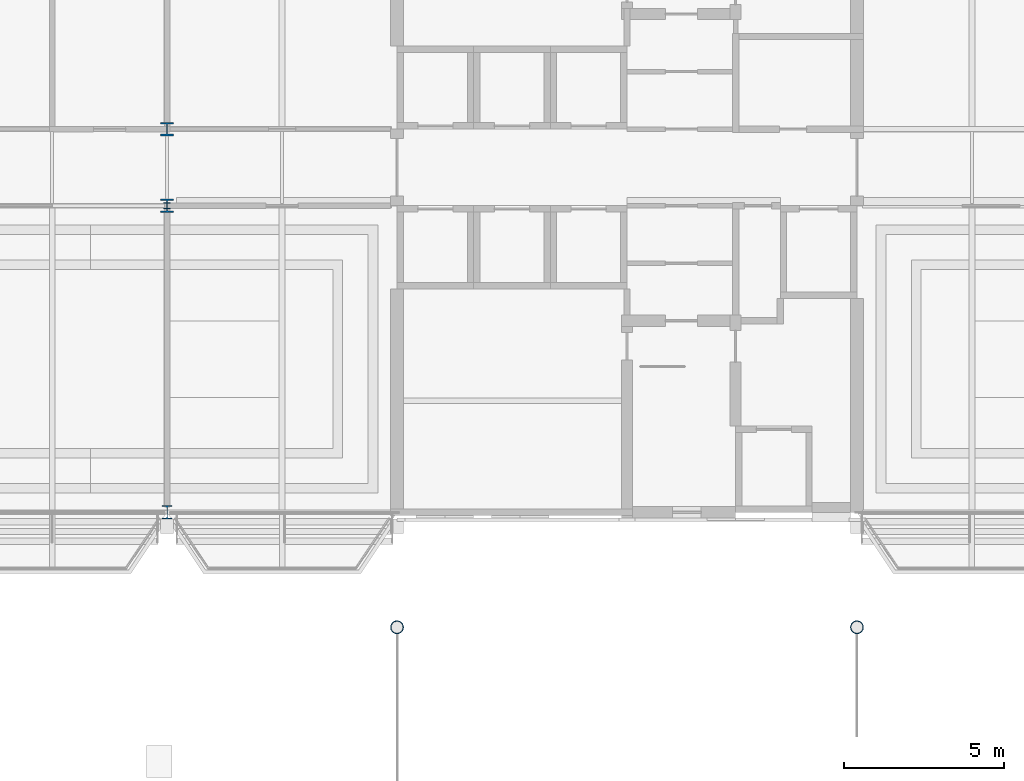
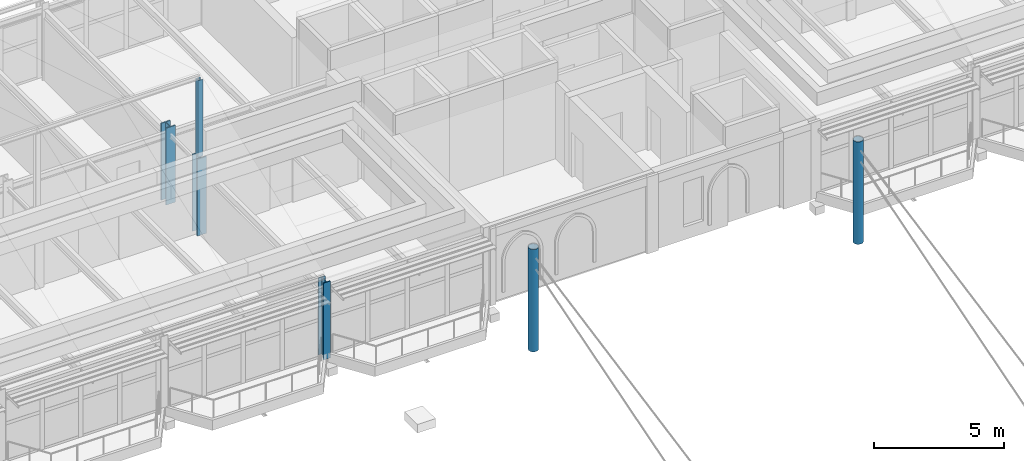
# One storey, part 7 of 68: 6 columns.
"""IFC4 building model written with IfcOpenShell, lengths in metres."""

from ifc_helpers import new_model, si_unit, direction, frame, origin, origin_2d, place, context, subcontext, project, spatial, hollow_circle, i_section, extrude, material, material_profile, profile_set, type_object, element, save


model = new_model("IFC4")

# Units and contexts
model_context = context("Model", 3, precision=1e-05, world=origin(), true_north=direction((0.0, 1.0)))
body_context = subcontext(model_context, "Body", "Model", "MODEL_VIEW")
ifc_project = project(units=[si_unit("LENGTHUNIT", "METRE"), si_unit("AREAUNIT", "SQUARE_METRE"), si_unit("VOLUMEUNIT", "CUBIC_METRE"), si_unit("PLANEANGLEUNIT", "RADIAN"), si_unit("MASSUNIT", "GRAM", prefix="KILO")], contexts=[model_context])

# Site, building, storey
site_placement = place(None, origin())
site = spatial("IfcSite", under=ifc_project, at=site_placement, CompositionType="ELEMENT")
building_placement = place(site_placement, origin())
building = spatial("IfcBuilding", under=site, at=building_placement, Name="Kupolbacken Congress Centre", CompositionType="ELEMENT")
storey_placement = place(building_placement, frame((0.0, 0.0, 25.199951171875)))
storey = spatial("IfcBuildingStorey", under=building, at=storey_placement, Name="L07", CompositionType="ELEMENT", Elevation=25.199951171875)

# Columns
ifc_material_1 = material(Name="Steel S355", Category="steel")
ifc_material_profile_1 = material_profile(ifc_material_1, i_section(OverallWidth=0.408935546875, OverallDepth=0.425048828125, WebThickness=0.03271484375, FlangeThickness=0.052490234375, FilletRadius=0.014892578125, at=origin_2d()), Name="HD 400 x 421")
ifc_profile_set_1 = profile_set([ifc_material_profile_1], Name="Steel S355")
column_type_1 = type_object("IfcColumnType", Name="C01 column HD 400 x 421", PredefinedType="COLUMN", material=ifc_profile_set_1)
for number, where, z_axis, x_axis, name in (
    (1, (86.39990234375, 132.0, 0.0), (0.0, 0.0, 1.0), (1.0, 0.0, 0.0), "S/col/C-T-13U+2400/L07"),
    (2, (86.39990234375, 134.39990234375, 0.0), (0.0, 0.0, 1.0), (1.0, 0.0, 0.0), "S/col/C-T-13U+4800/L07"),
):
    element("IfcColumn", number, at=place(storey_placement, frame(where, z_axis=z_axis, x_axis=x_axis)), inside=storey, type_object=column_type_1, Name=name, PredefinedType="COLUMN", context=body_context, shape_type="SweptSolid", body=[
        extrude(i_section(OverallWidth=0.408935546875, OverallDepth=0.425048828125, WebThickness=0.03271484375, FlangeThickness=0.052490234375, FilletRadius=0.014892578125, at=origin_2d()), origin(), (0.0, 0.0, 1.0), 3.60009765625),
    ])
ifc_material_2 = material(Name="Steel S355", Category="steel")
ifc_material_profile_2 = material_profile(ifc_material_2, i_section(OverallWidth=0.306884765625, OverallDepth=0.431884765625, WebThickness=0.02099609375, FlangeThickness=0.0400390625, FilletRadius=0.027099609375, at=origin_2d()), Name="HEM 400")
ifc_profile_set_2 = profile_set([ifc_material_profile_2], Name="Steel S355")
column_type_2 = type_object("IfcColumnType", Name="C02 column HEM 400", PredefinedType="COLUMN", material=ifc_profile_set_2)
column_1_placement = place(storey_placement, frame((86.39990234375, 122.39990234375, 0.0), z_axis=(0.0, 0.0, 1.0), x_axis=(1.0, 0.0, 0.0)))
element("IfcColumn", 3, at=column_1_placement, inside=storey, type_object=column_type_2, Name="S/col/C-T-13T/L07", PredefinedType="COLUMN", context=body_context, shape_type="SweptSolid", body=[
    extrude(i_section(OverallWidth=0.306884765625, OverallDepth=0.431884765625, WebThickness=0.02099609375, FlangeThickness=0.0400390625, FilletRadius=0.027099609375, at=origin_2d()), origin(), (0.0, 0.0, 1.0), 3.60009765625),
])
ifc_material_3 = material(Name="Steel S355", Category="steel")
ifc_material_profile_3 = material_profile(ifc_material_3, i_section(OverallWidth=0.199951171875, OverallDepth=0.199951171875, WebThickness=0.009033203125, FlangeThickness=0.014892578125, FilletRadius=0.01806640625, at=origin_2d()), Name="HEB 200")
ifc_profile_set_3 = profile_set([ifc_material_profile_3], Name="Steel S355")
column_type_3 = type_object("IfcColumnType", Name="C11 column HEB 200", PredefinedType="COLUMN", material=ifc_profile_set_3)
column_2_placement = place(storey_placement, frame((86.39990234375, 132.0, 3.60009765625), z_axis=(0.0, 0.0, 1.0), x_axis=(1.0, 0.0, 0.0)))
element("IfcColumn", 4, at=column_2_placement, inside=storey, type_object=column_type_3, Name="E/T/roof/R1/post2/L07", PredefinedType="COLUMN", context=body_context, shape_type="SweptSolid", body=[
    extrude(i_section(OverallWidth=0.199951171875, OverallDepth=0.199951171875, WebThickness=0.009033203125, FlangeThickness=0.014892578125, FilletRadius=0.01806640625, at=origin_2d()), origin(), (0.0, 0.0, 1.0), 3.5830078125),
])
ifc_material_4 = material(Name="Steel S355", Category="steel")
ifc_material_profile_4 = material_profile(ifc_material_4, hollow_circle(Radius=0.203125, WallThickness=0.01611328125, at=origin_2d()), Name="CHS 406.4 x 16")
ifc_profile_set_4 = profile_set([ifc_material_profile_4], Name="Steel S355")
column_type_4 = type_object("IfcColumnType", Name="C15 roof mast CHS 406.4 x 16", PredefinedType="COLUMN", material=ifc_profile_set_4)
for number, where, z_axis, x_axis, name in (
    (5, (93.60009765625, 118.800048828125, 0.0), (0.0, 0.0, 1.0), (1.0, 0.0, 0.0), "Roof mast M1N"),
    (6, (108.0, 118.800048828125, 0.0), (0.0, 0.0, 1.0), (1.0, 0.0, 0.0), "Roof mast M2N"),
):
    element("IfcColumn", number, at=place(storey_placement, frame(where, z_axis=z_axis, x_axis=x_axis)), inside=storey, type_object=column_type_4, Name=name, PredefinedType="COLUMN", context=body_context, shape_type="SweptSolid", body=[
        extrude(hollow_circle(Radius=0.203125, WallThickness=0.01611328125, at=origin_2d()), origin(), (0.0, 0.0, 1.0), 4.800048828125),
    ])

save(model, "model.ifc")
